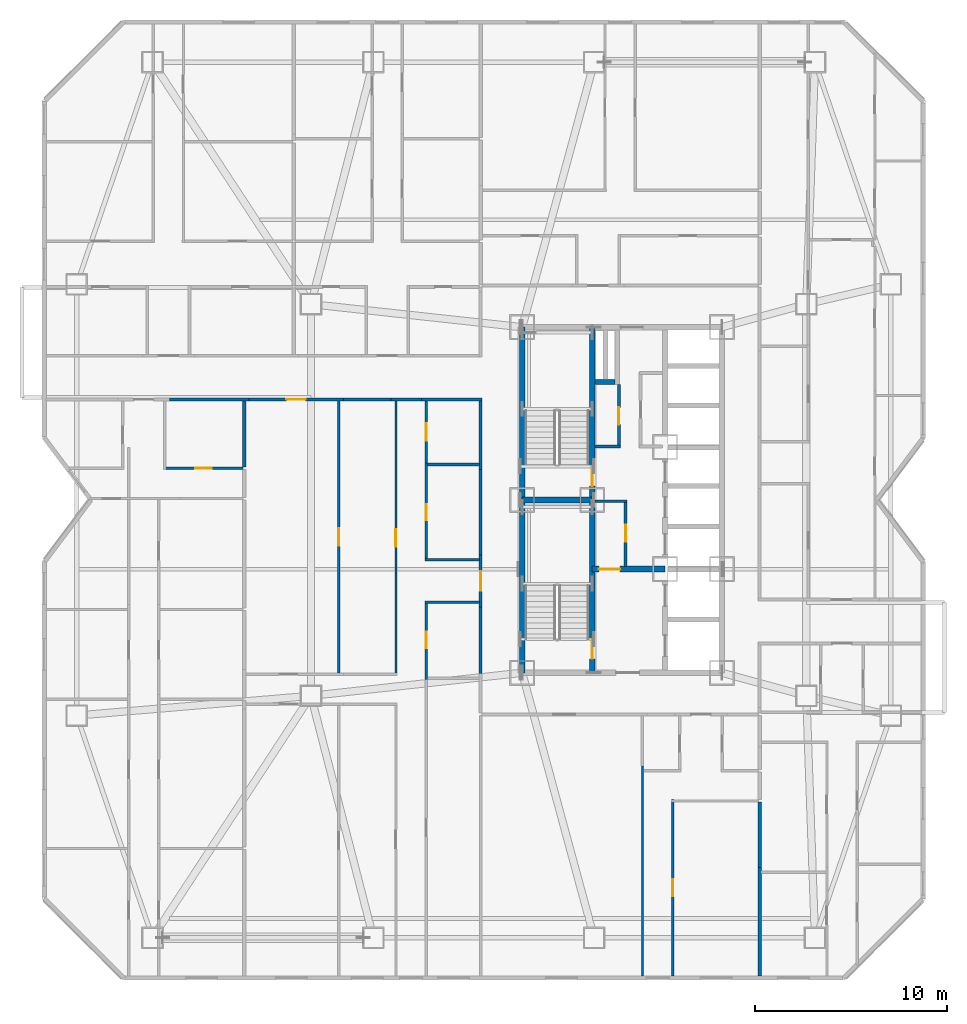
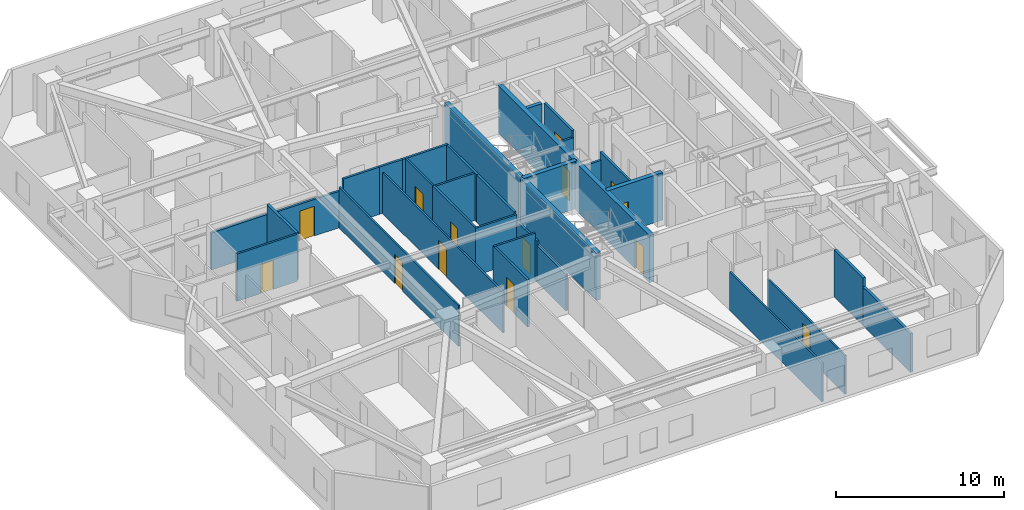
# One storey, part 9 of 17: 34 walls, 14 doors, 14 openings.
"""IFC4 building model written with IfcOpenShell, lengths in metres."""

from ifc_helpers import new_model, si_unit, direction, frame, frame_2d, origin, place, context, subcontext, project, spatial, rectangle, extrude, material, layer, layer_set, type_object, element, fill, save


model = new_model("IFC4")

# Units and contexts
model_context = context("Model", 3, precision=1e-05, world=origin(), true_north=direction((0.0, 1.0)))
body_context = subcontext(model_context, "Body", "Model", "MODEL_VIEW")
ifc_project = project(units=[si_unit("LENGTHUNIT", "METRE"), si_unit("AREAUNIT", "SQUARE_METRE"), si_unit("VOLUMEUNIT", "CUBIC_METRE"), si_unit("PLANEANGLEUNIT", "RADIAN"), si_unit("MASSUNIT", "GRAM", prefix="KILO")], contexts=[model_context])

# Site, building, storey
site_placement = place(None, origin())
site = spatial("IfcSite", under=ifc_project, at=site_placement, CompositionType="ELEMENT")
building_placement = place(site_placement, origin())
building = spatial("IfcBuilding", under=site, at=building_placement, Name="Khamvora Tower", CompositionType="ELEMENT")
storey_placement = place(building_placement, frame((0.0, 0.0, 73.449951171875)))
storey = spatial("IfcBuildingStorey", under=building, at=storey_placement, Name="L18", CompositionType="ELEMENT", Elevation=73.449951171875)

# Walls
ifc_material_1 = material(Name="Concrete C50/60", Category="concrete")
ifc_layer_1 = layer(ifc_material_1, 0.300048828125)
ifc_layer_set_1 = layer_set([ifc_layer_1], Name="Concrete C50/60")
wall_type_1 = type_object("IfcWallType", Name="WAL-CORE-300", PredefinedType="SHEAR", material=ifc_layer_set_1)
for number, where, z_axis, x_axis, name in (
    (1, (29.0, 19.0, 0.0), (0.0, 0.0, 1.0), (0.0, 1.0, 0.0), "L18 central core west south wall"),
    (2, (29.0, 28.0, 0.0), (0.0, 0.0, 1.0), (0.0, 1.0, 0.0), "L18 central core west north wall"),
):
    element("IfcWall", number, at=place(storey_placement, frame(where, z_axis=z_axis, x_axis=x_axis)), inside=storey, type_object=wall_type_1, Name=name, PredefinedType="SHEAR", context=body_context, shape_type="SweptSolid", body=[
        extrude(rectangle(XDim=9.0, YDim=0.300048828125, at=frame_2d((4.5, 0.0))), origin(), (0.0, 0.0, 1.0), 3.429931640625),
    ])

# Wall, opening, door
wall_1_placement = place(storey_placement, frame((32.64990234375, 19.0, 0.0), z_axis=(0.0, 0.0, 1.0), x_axis=(0.0, 1.0, 0.0)))
wall_1 = element("IfcWall", 3, at=wall_1_placement, inside=storey, type_object=wall_type_1, Name="L18 central core stair south spine wall", PredefinedType="SHEAR", context=body_context, shape_type="SweptSolid", body=[
    extrude(rectangle(XDim=9.0, YDim=0.300048828125, at=frame_2d((4.5, 0.0))), origin(), (0.0, 0.0, 1.0), 3.429931640625),
])
opening_1_placement = place(wall_1_placement, frame((0.719970703125, 0.0, 0.0)))
opening_1 = element("IfcOpeningElement", 4, at=opening_1_placement, cuts=wall_1, Name="Opening D-ST1", PredefinedType="OPENING", context=body_context, shape_type="SweptSolid", body=[
    extrude(rectangle(XDim=1.0, YDim=2.14990234375, at=frame_2d((0.5, 1.074951171875))), frame((0.0, 0.159912109375, 0.0), z_axis=(0.0, -1.0, 0.0), x_axis=(1.0, 0.0, 0.0)), (0.0, 0.0, 1.0), 0.320068359375),
])
ifc_material_2 = material(Name="Powder-Coated Steel and Hardwood Leaf", Category="steel")
door_type_1 = type_object("IfcDoorType", Name="DOR-STAIR-1000", OperationType="NOTDEFINED", PredefinedType="DOOR", material=ifc_material_2)
door_1_placement = place(opening_1_placement, origin())
door_1 = element("IfcDoor", 5, at=door_1_placement, inside=storey, type_object=door_type_1, Name="L18 exit stair ST-01 fire door", OperationType="SINGLE_SWING_RIGHT", OverallHeight=2.14990234375, OverallWidth=1.0, PredefinedType="DOOR", context=body_context, shape_type="SweptSolid", body=[
    extrude(rectangle(XDim=1.0, YDim=2.14990234375, at=frame_2d((0.5, 1.074951171875))), frame((0.0, 0.02490234375, 0.0), z_axis=(0.0, -1.0, 0.0), x_axis=(1.0, 0.0, 0.0)), (0.0, 0.0, 1.0), 0.050048828125),
])
fill(opening_1, door_1)

wall_2_placement = place(storey_placement, frame((32.64990234375, 28.0, 0.0), z_axis=(0.0, 0.0, 1.0), x_axis=(0.0, 1.0, 0.0)))
wall_2 = element("IfcWall", 6, at=wall_2_placement, inside=storey, type_object=wall_type_1, Name="L18 central core stair north spine wall", PredefinedType="SHEAR", context=body_context, shape_type="SweptSolid", body=[
    extrude(rectangle(XDim=9.0, YDim=0.300048828125, at=frame_2d((4.5, 0.0))), origin(), (0.0, 0.0, 1.0), 3.429931640625),
])
opening_2_placement = place(wall_2_placement, frame((0.719970703125, 0.0, 0.0)))
opening_2 = element("IfcOpeningElement", 7, at=opening_2_placement, cuts=wall_2, Name="Opening D-ST1", PredefinedType="OPENING", context=body_context, shape_type="SweptSolid", body=[
    extrude(rectangle(XDim=1.0, YDim=2.14990234375, at=frame_2d((0.5, 1.074951171875))), frame((0.0, 0.159912109375, 0.0), z_axis=(0.0, -1.0, 0.0), x_axis=(1.0, 0.0, 0.0)), (0.0, 0.0, 1.0), 0.320068359375),
])
door_2_placement = place(opening_2_placement, origin())
door_2 = element("IfcDoor", 8, at=door_2_placement, inside=storey, type_object=door_type_1, Name="L18 exit stair ST-02 fire door", OperationType="SINGLE_SWING_RIGHT", OverallHeight=2.14990234375, OverallWidth=1.0, PredefinedType="DOOR", context=body_context, shape_type="SweptSolid", body=[
    extrude(rectangle(XDim=1.0, YDim=2.14990234375, at=frame_2d((0.5, 1.074951171875))), frame((0.0, 0.02490234375, 0.0), z_axis=(0.0, -1.0, 0.0), x_axis=(1.0, 0.0, 0.0)), (0.0, 0.0, 1.0), 0.050048828125),
])
fill(opening_2, door_2)

# Wall
wall_3_placement = place(storey_placement, frame((29.0, 28.0, 0.0), z_axis=(0.0, 0.0, 1.0), x_axis=(1.0, 0.0, 0.0)))
element("IfcWall", 9, at=wall_3_placement, inside=storey, type_object=wall_type_1, Name="L18 central core stair cross wall", PredefinedType="SHEAR", context=body_context, shape_type="SweptSolid", body=[
    extrude(rectangle(XDim=3.64990234375, YDim=0.300048828125, at=frame_2d((1.824951171875, 0.0))), origin(), (0.0, 0.0, 1.0), 3.429931640625),
])

# Wall, opening, door
wall_4_placement = place(storey_placement, frame((32.64990234375, 24.39990234375, 0.0), z_axis=(0.0, 0.0, 1.0), x_axis=(1.0, 0.0, 0.0)))
wall_4 = element("IfcWall", 10, at=wall_4_placement, inside=storey, type_object=wall_type_1, Name="L18 central core firefighting lobby north wall", PredefinedType="SHEAR", context=body_context, shape_type="SweptSolid", body=[
    extrude(rectangle(XDim=3.800048828125, YDim=0.300048828125, at=frame_2d((1.89990234375, 0.0))), origin(), (0.0, 0.0, 1.0), 3.429931640625),
])
opening_3_placement = place(wall_4_placement, frame((0.35009765625, 0.0, 0.0)))
opening_3 = element("IfcOpeningElement", 11, at=opening_3_placement, cuts=wall_4, Name="Opening D-FF1", PredefinedType="OPENING", context=body_context, shape_type="SweptSolid", body=[
    extrude(rectangle(XDim=1.10009765625, YDim=2.14990234375, at=frame_2d((0.550048828125, 1.074951171875))), frame((0.0, 0.159912109375, 0.0), z_axis=(0.0, -1.0, 0.0), x_axis=(1.0, 0.0, 0.0)), (0.0, 0.0, 1.0), 0.320068359375),
])
door_type_2 = type_object("IfcDoorType", Name="DOR-FFLOB-1100", OperationType="NOTDEFINED", PredefinedType="DOOR", material=ifc_material_2)
door_3_placement = place(opening_3_placement, origin())
door_3 = element("IfcDoor", 12, at=door_3_placement, inside=storey, type_object=door_type_2, Name="L18 firefighting lobby smoke-seal fire door", OperationType="SINGLE_SWING_LEFT", OverallHeight=2.14990234375, OverallWidth=1.10009765625, PredefinedType="DOOR", context=body_context, shape_type="SweptSolid", body=[
    extrude(rectangle(XDim=1.10009765625, YDim=2.14990234375, at=frame_2d((0.550048828125, 1.074951171875))), frame((0.0, 0.02490234375, 0.0), z_axis=(0.0, -1.0, 0.0), x_axis=(1.0, 0.0, 0.0)), (0.0, 0.0, 1.0), 0.050048828125),
])
fill(opening_3, door_3)

# Wall
ifc_material_3 = material(Name="Fire-Rated Drywall and Steel Stud", Category="steel")
ifc_layer_2 = layer(ifc_material_3, 0.14990234375)
ifc_layer_set_2 = layer_set([ifc_layer_2], Name="Fire-Rated Drywall and Steel Stud")
wall_type_2 = type_object("IfcWallType", Name="WAL-CORR-150", PredefinedType="STANDARD", material=ifc_layer_set_2)
wall_5_placement = place(storey_placement, frame((32.7939453125, 30.784912109375, 0.0), z_axis=(0.0, 0.0, 1.0), x_axis=(1.0, 0.0, 0.0)))
element("IfcWall", 13, at=wall_5_placement, inside=storey, type_object=wall_type_2, Name="L18 interior partition wall 004", PredefinedType="STANDARD", context=body_context, shape_type="SweptSolid", body=[
    extrude(rectangle(XDim=1.30615234375, YDim=0.14990234375, at=frame_2d((0.653076171875, 0.0))), origin(), (0.0, 0.0, 1.0), 2.886962890625),
])

# Wall, opening, door
wall_6_placement = place(storey_placement, frame((34.034912109375, 30.719970703125, 0.0), z_axis=(0.0, 0.0, 1.0), x_axis=(0.0, 1.0, 0.0)))
wall_6 = element("IfcWall", 14, at=wall_6_placement, inside=storey, type_object=wall_type_2, Name="L18 interior partition wall 005", PredefinedType="STANDARD", context=body_context, shape_type="SweptSolid", body=[
    extrude(rectangle(XDim=3.300048828125, YDim=0.14990234375, at=frame_2d((1.64990234375, 0.0))), origin(), (0.0, 0.0, 1.0), 3.429931640625),
])
opening_4_placement = place(wall_6_placement, frame((1.199951171875, 0.0, 0.0)))
opening_4 = element("IfcOpeningElement", 15, at=opening_4_placement, cuts=wall_6, Name="Opening D-RM1", PredefinedType="OPENING", context=body_context, shape_type="SweptSolid", body=[
    extrude(rectangle(XDim=0.89990234375, YDim=2.10009765625, at=frame_2d((0.449951171875, 1.050048828125))), frame((0.0, 0.0849609375, 0.0), z_axis=(0.0, -1.0, 0.0), x_axis=(1.0, 0.0, 0.0)), (0.0, 0.0, 1.0), 0.169921875),
])
door_type_3 = type_object("IfcDoorType", Name="DOR-ROOM-900", OperationType="NOTDEFINED", PredefinedType="DOOR", material=ifc_material_2)
door_4_placement = place(opening_4_placement, origin())
door_4 = element("IfcDoor", 16, at=door_4_placement, inside=storey, type_object=door_type_3, Name="L18 interior door PLL-CS2", OperationType="SINGLE_SWING_LEFT", OverallHeight=2.10009765625, OverallWidth=0.89990234375, PredefinedType="DOOR", context=body_context, shape_type="SweptSolid", body=[
    extrude(rectangle(XDim=0.89990234375, YDim=2.10009765625, at=frame_2d((0.449951171875, 1.050048828125))), frame((0.0, 0.02490234375, 0.0), z_axis=(0.0, -1.0, 0.0), x_axis=(1.0, 0.0, 0.0)), (0.0, 0.0, 1.0), 0.050048828125),
])
fill(opening_4, door_4)

wall_7_placement = place(storey_placement, frame((34.385009765625, 24.5439453125, 0.0), z_axis=(0.0, 0.0, 1.0), x_axis=(0.0, 1.0, 0.0)))
wall_7 = element("IfcWall", 17, at=wall_7_placement, inside=storey, type_object=wall_type_2, Name="L18 interior partition wall 006", PredefinedType="STANDARD", context=body_context, shape_type="SweptSolid", body=[
    extrude(rectangle(XDim=3.4560546875, YDim=0.14990234375, at=frame_2d((1.72802734375, 0.0))), origin(), (0.0, 0.0, 1.0), 3.429931640625),
])
opening_5_placement = place(wall_7_placement, frame((1.278076171875, 0.0, 0.0)))
opening_5 = element("IfcOpeningElement", 18, at=opening_5_placement, cuts=wall_7, Name="Opening D-RM1", PredefinedType="OPENING", context=body_context, shape_type="SweptSolid", body=[
    extrude(rectangle(XDim=0.89990234375, YDim=2.10009765625, at=frame_2d((0.449951171875, 1.050048828125))), frame((0.0, 0.0849609375, 0.0), z_axis=(0.0, -1.0, 0.0), x_axis=(1.0, 0.0, 0.0)), (0.0, 0.0, 1.0), 0.169921875),
])
door_5_placement = place(opening_5_placement, origin())
door_5 = element("IfcDoor", 19, at=door_5_placement, inside=storey, type_object=door_type_3, Name="L18 interior door PLL-CS3", OperationType="SINGLE_SWING_RIGHT", OverallHeight=2.10009765625, OverallWidth=0.89990234375, PredefinedType="DOOR", context=body_context, shape_type="SweptSolid", body=[
    extrude(rectangle(XDim=0.89990234375, YDim=2.10009765625, at=frame_2d((0.449951171875, 1.050048828125))), frame((0.0, 0.02490234375, 0.0), z_axis=(0.0, -1.0, 0.0), x_axis=(1.0, 0.0, 0.0)), (0.0, 0.0, 1.0), 0.050048828125),
])
fill(opening_5, door_5)

# Walls
wall_8_placement = place(storey_placement, frame((34.449951171875, 27.93505859375, 0.0), z_axis=(0.0, 0.0, 1.0), x_axis=(-1.0, 0.0, 0.0)))
element("IfcWall", 20, at=wall_8_placement, inside=storey, type_object=wall_type_2, Name="L18 interior partition wall 007", PredefinedType="STANDARD", context=body_context, shape_type="SweptSolid", body=[
    extrude(rectangle(XDim=1.656005859375, YDim=0.14990234375, at=frame_2d((0.828125, 0.0))), origin(), (0.0, 0.0, 1.0), 2.886962890625),
])
wall_9_placement = place(storey_placement, frame((14.782958984375, 33.235107421875, 0.0), z_axis=(0.0, 0.0, 1.0), x_axis=(-1.0, 0.0, 0.0)))
element("IfcWall", 21, at=wall_9_placement, inside=storey, type_object=wall_type_2, Name="L18 interior partition wall 011", PredefinedType="STANDARD", context=body_context, shape_type="SweptSolid", body=[
    extrude(rectangle(XDim=4.14501953125, YDim=0.14990234375, at=frame_2d((2.072509765625, 0.0))), origin(), (0.0, 0.0, 1.0), 2.68701171875),
])
wall_10_placement = place(storey_placement, frame((26.8349609375, 29.60009765625, 0.0), z_axis=(0.0, 0.0, 1.0), x_axis=(0.0, 1.0, 0.0)))
element("IfcWall", 22, at=wall_10_placement, inside=storey, type_object=wall_type_2, Name="L18 interior partition wall 013", PredefinedType="STANDARD", context=body_context, shape_type="SweptSolid", body=[
    extrude(rectangle(XDim=3.699951171875, YDim=0.14990234375, at=frame_2d((1.85009765625, 0.0))), origin(), (0.0, 0.0, 1.0), 3.429931640625),
])
wall_11_placement = place(storey_placement, frame((26.89794921875, 33.235107421875, 0.0), z_axis=(0.0, 0.0, 1.0), x_axis=(-1.0, 0.0, 0.0)))
element("IfcWall", 23, at=wall_11_placement, inside=storey, type_object=wall_type_2, Name="L18 interior partition wall 014", PredefinedType="STANDARD", context=body_context, shape_type="SweptSolid", body=[
    extrude(rectangle(XDim=3.14306640625, YDim=0.14990234375, at=frame_2d((1.571533203125, 0.0))), origin(), (0.0, 0.0, 1.0), 3.429931640625),
])

# Wall, opening, door
wall_12_placement = place(storey_placement, frame((26.8349609375, 22.43505859375, 0.0), z_axis=(0.0, 0.0, 1.0), x_axis=(0.0, 1.0, 0.0)))
wall_12 = element("IfcWall", 24, at=wall_12_placement, inside=storey, type_object=wall_type_2, Name="L18 interior partition wall 015", PredefinedType="STANDARD", context=body_context, shape_type="SweptSolid", body=[
    extrude(rectangle(XDim=2.697998046875, YDim=0.14990234375, at=frame_2d((1.34912109375, 0.0))), origin(), (0.0, 0.0, 1.0), 2.95703125),
])
opening_6_placement = place(wall_12_placement, frame((0.84912109375, 0.0, 0.0)))
opening_6 = element("IfcOpeningElement", 25, at=opening_6_placement, cuts=wall_12, Name="Opening D-U1", PredefinedType="OPENING", context=body_context, shape_type="SweptSolid", body=[
    extrude(rectangle(XDim=1.0, YDim=2.14990234375, at=frame_2d((0.5, 1.074951171875))), frame((0.0, 0.0849609375, 0.0), z_axis=(0.0, -1.0, 0.0), x_axis=(1.0, 0.0, 0.0)), (0.0, 0.0, 1.0), 0.169921875),
])
door_type_4 = type_object("IfcDoorType", Name="DOR-UNIT-1000", OperationType="NOTDEFINED", PredefinedType="DOOR", material=ifc_material_2)
door_6_placement = place(opening_6_placement, origin())
door_6 = element("IfcDoor", 26, at=door_6_placement, inside=storey, type_object=door_type_4, Name="L18 interior door COR-18WA2H", OperationType="SINGLE_SWING_LEFT", OverallHeight=2.14990234375, OverallWidth=1.0, PredefinedType="DOOR", context=body_context, shape_type="SweptSolid", body=[
    extrude(rectangle(XDim=1.0, YDim=2.14990234375, at=frame_2d((0.5, 1.074951171875))), frame((0.0, 0.02490234375, 0.0), z_axis=(0.0, -1.0, 0.0), x_axis=(1.0, 0.0, 0.0)), (0.0, 0.0, 1.0), 0.050048828125),
])
fill(opening_6, door_6)

# Walls
wall_13_placement = place(storey_placement, frame((23.7548828125, 33.235107421875, 0.0), z_axis=(0.0, 0.0, 1.0), x_axis=(-1.0, 0.0, 0.0)))
element("IfcWall", 27, at=wall_13_placement, inside=storey, type_object=wall_type_2, Name="L18 interior partition wall 016", PredefinedType="STANDARD", context=body_context, shape_type="SweptSolid", body=[
    extrude(rectangle(XDim=1.579833984375, YDim=0.14990234375, at=frame_2d((0.7900390625, 0.0))), origin(), (0.0, 0.0, 1.0), 3.429931640625),
])
wall_14_placement = place(storey_placement, frame((26.8349609375, 18.968017578125, 0.0), z_axis=(0.0, 0.0, 1.0), x_axis=(0.0, 1.0, 0.0)))
element("IfcWall", 28, at=wall_14_placement, inside=storey, type_object=wall_type_2, Name="L18 interior partition wall 017", PredefinedType="STANDARD", context=body_context, shape_type="SweptSolid", body=[
    extrude(rectangle(XDim=3.467041015625, YDim=0.14990234375, at=frame_2d((1.7333984375, 0.0))), origin(), (0.0, 0.0, 1.0), 2.64697265625),
])
wall_15_placement = place(storey_placement, frame((26.8349609375, 25.133056640625, 0.0), z_axis=(0.0, 0.0, 1.0), x_axis=(0.0, 1.0, 0.0)))
element("IfcWall", 29, at=wall_15_placement, inside=storey, type_object=wall_type_2, Name="L18 interior partition wall 018", PredefinedType="STANDARD", context=body_context, shape_type="SweptSolid", body=[
    extrude(rectangle(XDim=4.467041015625, YDim=0.14990234375, at=frame_2d((2.2333984375, 0.0))), origin(), (0.0, 0.0, 1.0), 3.429931640625),
])

# Wall, opening, door
wall_16_placement = place(storey_placement, frame((19.69091796875, 33.235107421875, 0.0), z_axis=(0.0, 0.0, 1.0), x_axis=(-1.0, 0.0, 0.0)))
wall_16 = element("IfcWall", 30, at=wall_16_placement, inside=storey, type_object=wall_type_2, Name="L18 interior partition wall 019", PredefinedType="STANDARD", context=body_context, shape_type="SweptSolid", body=[
    extrude(rectangle(XDim=4.907958984375, YDim=0.14990234375, at=frame_2d((2.4541015625, 0.0))), origin(), (0.0, 0.0, 1.0), 2.64697265625),
])
opening_7_placement = place(wall_16_placement, frame((1.97509765625, 0.0, 0.0)))
opening_7 = element("IfcOpeningElement", 31, at=opening_7_placement, cuts=wall_16, Name="Opening D-U1", PredefinedType="OPENING", context=body_context, shape_type="SweptSolid", body=[
    extrude(rectangle(XDim=1.0, YDim=2.14990234375, at=frame_2d((0.5, 1.074951171875))), frame((0.0, 0.0849609375, 0.0), z_axis=(0.0, -1.0, 0.0), x_axis=(1.0, 0.0, 0.0)), (0.0, 0.0, 1.0), 0.169921875),
])
door_7_placement = place(opening_7_placement, origin())
door_7 = element("IfcDoor", 32, at=door_7_placement, inside=storey, type_object=door_type_4, Name="L18 interior door COR-18WA2R3", OperationType="SINGLE_SWING_RIGHT", OverallHeight=2.14990234375, OverallWidth=1.0, PredefinedType="DOOR", context=body_context, shape_type="SweptSolid", body=[
    extrude(rectangle(XDim=1.0, YDim=2.14990234375, at=frame_2d((0.5, 1.074951171875))), frame((0.0, 0.02490234375, 0.0), z_axis=(0.0, -1.0, 0.0), x_axis=(1.0, 0.0, 0.0)), (0.0, 0.0, 1.0), 0.050048828125),
])
fill(opening_7, door_7)

# Walls
wall_17_placement = place(storey_placement, frame((22.175048828125, 33.235107421875, 0.0), z_axis=(0.0, 0.0, 1.0), x_axis=(-1.0, 0.0, 0.0)))
element("IfcWall", 33, at=wall_17_placement, inside=storey, type_object=wall_type_2, Name="L18 interior partition wall 020", PredefinedType="STANDARD", context=body_context, shape_type="SweptSolid", body=[
    extrude(rectangle(XDim=2.484130859375, YDim=0.14990234375, at=frame_2d((1.2421875, 0.0))), origin(), (0.0, 0.0, 1.0), 3.429931640625),
])
ifc_material_4 = material(Name="Acoustic Double-Stud Fire Wall", Category="gypsum")
ifc_layer_3 = layer(ifc_material_4, 0.179931640625)
ifc_layer_set_3 = layer_set([ifc_layer_3], Name="Acoustic Double-Stud Fire Wall")
wall_type_3 = type_object("IfcWallType", Name="WAL-CORR-180", PredefinedType="STANDARD", material=ifc_layer_set_3)
wall_18_placement = place(storey_placement, frame((14.533935546875, 33.16796875, 0.0), z_axis=(0.0, 0.0, 1.0), x_axis=(0.0, -1.0, 0.0)))
element("IfcWall", 34, at=wall_18_placement, inside=storey, type_object=wall_type_3, Name="L18 interior partition wall 065", PredefinedType="STANDARD", context=body_context, shape_type="SweptSolid", body=[
    extrude(rectangle(XDim=3.447998046875, YDim=0.179931640625, at=frame_2d((1.72412109375, 0.0))), origin(), (0.0, 0.0, 1.0), 3.429931640625),
])
wall_19_placement = place(storey_placement, frame((41.364990234375, 8.85498046875, 0.0), z_axis=(0.0, 0.0, 1.0), x_axis=(0.0, -1.0, 0.0)))
element("IfcWall", 35, at=wall_19_placement, inside=storey, type_object=wall_type_3, Name="L18 interior partition wall 136", PredefinedType="STANDARD", context=body_context, shape_type="SweptSolid", body=[
    extrude(rectangle(XDim=5.64306640625, YDim=0.179931640625, at=frame_2d((2.821533203125, 0.0))), origin(), (0.0, 0.0, 1.0), 2.802978515625),
])
wall_20_placement = place(storey_placement, frame((41.364990234375, 12.260986328125, 0.0), z_axis=(0.0, 0.0, 1.0), x_axis=(0.0, -1.0, 0.0)))
element("IfcWall", 36, at=wall_20_placement, inside=storey, type_object=wall_type_3, Name="L18 interior partition wall 137", PredefinedType="STANDARD", context=body_context, shape_type="SweptSolid", body=[
    extrude(rectangle(XDim=3.406005859375, YDim=0.179931640625, at=frame_2d((1.703125, 0.0))), origin(), (0.0, 0.0, 1.0), 3.429931640625),
])
ifc_material_5 = material(Name="Gypsum Plasterboard Partition", Category="gypsum")
ifc_layer_4 = layer(ifc_material_5, 0.1201171875)
ifc_layer_set_4 = layer_set([ifc_layer_4], Name="Gypsum Plasterboard Partition")
wall_type_4 = type_object("IfcWallType", Name="WAL-PART-120", PredefinedType="PARTITIONING", material=ifc_layer_set_4)
wall_21_placement = place(storey_placement, frame((35.264892578125, 14.155029296875, 0.0), z_axis=(0.0, 0.0, 1.0), x_axis=(0.0, -1.0, 0.0)))
element("IfcWall", 37, at=wall_21_placement, inside=storey, type_object=wall_type_4, Name="L18 interior partition wall 048", PredefinedType="PARTITIONING", context=body_context, shape_type="SweptSolid", body=[
    extrude(rectangle(XDim=10.943115234375, YDim=0.1201171875, at=frame_2d((5.4716796875, 0.0))), origin(), (0.0, 0.0, 1.0), 2.802978515625),
])

# Wall, opening, door
wall_22_placement = place(storey_placement, frame((24.00390625, 29.9140625, 0.0), z_axis=(0.0, 0.0, 1.0), x_axis=(0.0, 1.0, 0.0)))
wall_22 = element("IfcWall", 38, at=wall_22_placement, inside=storey, type_object=wall_type_4, Name="L18 interior partition wall 080", PredefinedType="PARTITIONING", context=body_context, shape_type="SweptSolid", body=[
    extrude(rectangle(XDim=3.25390625, YDim=0.1201171875, at=frame_2d((1.626953125, 0.0))), origin(), (0.0, 0.0, 1.0), 3.429931640625),
])
opening_8_placement = place(wall_22_placement, frame((1.177001953125, 0.0, 0.0)))
opening_8 = element("IfcOpeningElement", 39, at=opening_8_placement, cuts=wall_22, Name="Opening D-RM1", PredefinedType="OPENING", context=body_context, shape_type="SweptSolid", body=[
    extrude(rectangle(XDim=0.89990234375, YDim=2.10009765625, at=frame_2d((0.449951171875, 1.050048828125))), frame((0.0, 0.070068359375, 0.0), z_axis=(0.0, -1.0, 0.0), x_axis=(1.0, 0.0, 0.0)), (0.0, 0.0, 1.0), 0.14013671875),
])
door_8_placement = place(opening_8_placement, origin())
door_8 = element("IfcDoor", 40, at=door_8_placement, inside=storey, type_object=door_type_3, Name="L18 interior door 18WA2W2-18WA2H", OperationType="SINGLE_SWING_RIGHT", OverallHeight=2.10009765625, OverallWidth=0.89990234375, PredefinedType="DOOR", context=body_context, shape_type="SweptSolid", body=[
    extrude(rectangle(XDim=0.89990234375, YDim=2.10009765625, at=frame_2d((0.449951171875, 1.050048828125))), frame((0.0, 0.02490234375, 0.0), z_axis=(0.0, -1.0, 0.0), x_axis=(1.0, 0.0, 0.0)), (0.0, 0.0, 1.0), 0.050048828125),
])
fill(opening_8, door_8)

wall_23_placement = place(storey_placement, frame((22.424072265625, 18.860107421875, 0.0), z_axis=(0.0, 0.0, 1.0), x_axis=(0.0, 1.0, 0.0)))
wall_23 = element("IfcWall", 41, at=wall_23_placement, inside=storey, type_object=wall_type_4, Name="L18 interior partition wall 091", PredefinedType="PARTITIONING", context=body_context, shape_type="SweptSolid", body=[
    extrude(rectangle(XDim=14.307861328125, YDim=0.1201171875, at=frame_2d((7.15380859375, 0.0))), origin(), (0.0, 0.0, 1.0), 2.95703125),
])
opening_9_placement = place(wall_23_placement, frame((6.7041015625, 0.0, 0.0)))
opening_9 = element("IfcOpeningElement", 42, at=opening_9_placement, cuts=wall_23, Name="Opening D-RM1", PredefinedType="OPENING", context=body_context, shape_type="SweptSolid", body=[
    extrude(rectangle(XDim=0.89990234375, YDim=2.10009765625, at=frame_2d((0.449951171875, 1.050048828125))), frame((0.0, 0.070068359375, 0.0), z_axis=(0.0, -1.0, 0.0), x_axis=(1.0, 0.0, 0.0)), (0.0, 0.0, 1.0), 0.14013671875),
])
door_9_placement = place(opening_9_placement, origin())
door_9 = element("IfcDoor", 43, at=door_9_placement, inside=storey, type_object=door_type_3, Name="L18 interior door 18WA2H-18WA2R4", OperationType="SINGLE_SWING_LEFT", OverallHeight=2.10009765625, OverallWidth=0.89990234375, PredefinedType="DOOR", context=body_context, shape_type="SweptSolid", body=[
    extrude(rectangle(XDim=0.89990234375, YDim=2.10009765625, at=frame_2d((0.449951171875, 1.050048828125))), frame((0.0, 0.02490234375, 0.0), z_axis=(0.0, -1.0, 0.0), x_axis=(1.0, 0.0, 0.0)), (0.0, 0.0, 1.0), 0.050048828125),
])
fill(opening_9, door_9)

wall_24_placement = place(storey_placement, frame((19.44189453125, 33.16796875, 0.0), z_axis=(0.0, 0.0, 1.0), x_axis=(0.0, -1.0, 0.0)))
wall_24 = element("IfcWall", 44, at=wall_24_placement, inside=storey, type_object=wall_type_4, Name="L18 interior partition wall 093", PredefinedType="PARTITIONING", context=body_context, shape_type="SweptSolid", body=[
    extrude(rectangle(XDim=14.18896484375, YDim=0.1201171875, at=frame_2d((7.094482421875, 0.0))), origin(), (0.0, 0.0, 1.0), 2.95703125),
])
opening_10_placement = place(wall_24_placement, frame((6.64404296875, 0.0, 0.0)))
opening_10 = element("IfcOpeningElement", 45, at=opening_10_placement, cuts=wall_24, Name="Opening D-RM1", PredefinedType="OPENING", context=body_context, shape_type="SweptSolid", body=[
    extrude(rectangle(XDim=0.89990234375, YDim=2.10009765625, at=frame_2d((0.449951171875, 1.050048828125))), frame((0.0, 0.070068359375, 0.0), z_axis=(0.0, -1.0, 0.0), x_axis=(1.0, 0.0, 0.0)), (0.0, 0.0, 1.0), 0.14013671875),
])
door_10_placement = place(opening_10_placement, origin())
door_10 = element("IfcDoor", 46, at=door_10_placement, inside=storey, type_object=door_type_3, Name="L18 interior door 18WA2R3-18WA2R4", OperationType="SINGLE_SWING_LEFT", OverallHeight=2.10009765625, OverallWidth=0.89990234375, PredefinedType="DOOR", context=body_context, shape_type="SweptSolid", body=[
    extrude(rectangle(XDim=0.89990234375, YDim=2.10009765625, at=frame_2d((0.449951171875, 1.050048828125))), frame((0.0, 0.02490234375, 0.0), z_axis=(0.0, -1.0, 0.0), x_axis=(1.0, 0.0, 0.0)), (0.0, 0.0, 1.0), 0.050048828125),
])
fill(opening_10, door_10)

wall_25_placement = place(storey_placement, frame((36.844970703125, 12.39111328125, 0.0), z_axis=(0.0, 0.0, 1.0), x_axis=(0.0, -1.0, 0.0)))
wall_25 = element("IfcWall", 47, at=wall_25_placement, inside=storey, type_object=wall_type_4, Name="L18 interior partition wall 132", PredefinedType="PARTITIONING", context=body_context, shape_type="SweptSolid", body=[
    extrude(rectangle(XDim=9.17919921875, YDim=0.1201171875, at=frame_2d((4.589599609375, 0.0))), origin(), (0.0, 0.0, 1.0), 2.802978515625),
])
opening_11_placement = place(wall_25_placement, frame((4.138916015625, 0.0, 0.0)))
opening_11 = element("IfcOpeningElement", 48, at=opening_11_placement, cuts=wall_25, Name="Opening D-RM1", PredefinedType="OPENING", context=body_context, shape_type="SweptSolid", body=[
    extrude(rectangle(XDim=0.89990234375, YDim=2.10009765625, at=frame_2d((0.449951171875, 1.050048828125))), frame((0.0, 0.070068359375, 0.0), z_axis=(0.0, -1.0, 0.0), x_axis=(1.0, 0.0, 0.0)), (0.0, 0.0, 1.0), 0.14013671875),
])
door_11_placement = place(opening_11_placement, origin())
door_11 = element("IfcDoor", 49, at=door_11_placement, inside=storey, type_object=door_type_3, Name="L18 interior door 18SAH-18SAR1", OperationType="SINGLE_SWING_LEFT", OverallHeight=2.10009765625, OverallWidth=0.89990234375, PredefinedType="DOOR", context=body_context, shape_type="SweptSolid", body=[
    extrude(rectangle(XDim=0.89990234375, YDim=2.10009765625, at=frame_2d((0.449951171875, 1.050048828125))), frame((0.0, 0.02490234375, 0.0), z_axis=(0.0, -1.0, 0.0), x_axis=(1.0, 0.0, 0.0)), (0.0, 0.0, 1.0), 0.050048828125),
])
fill(opening_11, door_11)

# Wall
ifc_material_6 = material(Name="Concrete C40/50", Category="concrete")
ifc_layer_5 = layer(ifc_material_6, 0.25)
ifc_layer_set_5 = layer_set([ifc_layer_5], Name="Concrete C40/50")
wall_type_5 = type_object("IfcWallType", Name="WAL-PODS-250", PredefinedType="SHEAR", material=ifc_layer_set_5)
wall_26_placement = place(storey_placement, frame((32.803955078125, 34.14990234375, 0.0), z_axis=(0.0, 0.0, 1.0), x_axis=(1.0, 0.0, 0.0)))
element("IfcWall", 50, at=wall_26_placement, inside=storey, type_object=wall_type_5, Name="L18 vertical MEP riser shaft south enclosure wall", PredefinedType="SHEAR", context=body_context, shape_type="SweptSolid", body=[
    extrude(rectangle(XDim=1.02197265625, YDim=0.25, at=frame_2d((0.510986328125, 0.0))), origin(), (0.0, 0.0, 1.0), 3.429931640625),
])

# Wall, opening, door
ifc_material_7 = material(Name="Moisture-Resistant Plasterboard Partition", Category="gypsum")
ifc_layer_6 = layer(ifc_material_7, 0.135009765625)
ifc_layer_set_6 = layer_set([ifc_layer_6], Name="Moisture-Resistant Plasterboard Partition")
wall_type_6 = type_object("IfcWallType", Name="WAL-WET-135", PredefinedType="PARTITIONING", material=ifc_layer_set_6)
wall_27_placement = place(storey_placement, frame((10.323974609375, 29.655029296875, 0.0), z_axis=(0.0, 0.0, 1.0), x_axis=(1.0, 0.0, 0.0)))
wall_27 = element("IfcWall", 51, at=wall_27_placement, inside=storey, type_object=wall_type_6, Name="L18 interior partition wall 053", PredefinedType="PARTITIONING", context=body_context, shape_type="SweptSolid", body=[
    extrude(rectangle(XDim=4.14501953125, YDim=0.135009765625, at=frame_2d((2.072509765625, 0.0))), origin(), (0.0, 0.0, 1.0), 3.429931640625),
])
opening_12_placement = place(wall_27_placement, frame((1.64697265625, 0.0, 0.0)))
opening_12 = element("IfcOpeningElement", 52, at=opening_12_placement, cuts=wall_27, Name="Opening D-RM2", PredefinedType="OPENING", context=body_context, shape_type="SweptSolid", body=[
    extrude(rectangle(XDim=0.85009765625, YDim=2.10009765625, at=frame_2d((0.425048828125, 1.050048828125))), frame((0.0, 0.077392578125, 0.0), z_axis=(0.0, -1.0, 0.0), x_axis=(1.0, 0.0, 0.0)), (0.0, 0.0, 1.0), 0.155029296875),
])
door_type_5 = type_object("IfcDoorType", Name="DOR-ROOM-850", OperationType="NOTDEFINED", PredefinedType="DOOR", material=ifc_material_2)
door_12_placement = place(opening_12_placement, origin())
door_12 = element("IfcDoor", 53, at=door_12_placement, inside=storey, type_object=door_type_5, Name="L18 interior door 18WA1H-18WA1K", OperationType="SINGLE_SWING_RIGHT", OverallHeight=2.10009765625, OverallWidth=0.85009765625, PredefinedType="DOOR", context=body_context, shape_type="SweptSolid", body=[
    extrude(rectangle(XDim=0.85009765625, YDim=2.10009765625, at=frame_2d((0.425048828125, 1.050048828125))), frame((0.0, 0.02490234375, 0.0), z_axis=(0.0, -1.0, 0.0), x_axis=(1.0, 0.0, 0.0)), (0.0, 0.0, 1.0), 0.050048828125),
])
fill(opening_12, door_12)

# Walls
wall_28_placement = place(storey_placement, frame((26.77001953125, 29.84912109375, 0.0), z_axis=(0.0, 0.0, 1.0), x_axis=(-1.0, 0.0, 0.0)))
element("IfcWall", 54, at=wall_28_placement, inside=storey, type_object=wall_type_6, Name="L18 interior partition wall 081", PredefinedType="PARTITIONING", context=body_context, shape_type="SweptSolid", body=[
    extrude(rectangle(XDim=2.700927734375, YDim=0.135009765625, at=frame_2d((1.3505859375, 0.0))), origin(), (0.0, 0.0, 1.0), 3.429931640625),
])
wall_29_placement = place(storey_placement, frame((26.77001953125, 22.68408203125, 0.0), z_axis=(0.0, 0.0, 1.0), x_axis=(-1.0, 0.0, 0.0)))
element("IfcWall", 55, at=wall_29_placement, inside=storey, type_object=wall_type_6, Name="L18 interior partition wall 082", PredefinedType="PARTITIONING", context=body_context, shape_type="SweptSolid", body=[
    extrude(rectangle(XDim=2.8310546875, YDim=0.135009765625, at=frame_2d((1.41552734375, 0.0))), origin(), (0.0, 0.0, 1.0), 3.429931640625),
])

# Wall, opening, door
wall_30_placement = place(storey_placement, frame((24.00390625, 22.7490234375, 0.0), z_axis=(0.0, 0.0, 1.0), x_axis=(0.0, -1.0, 0.0)))
wall_30 = element("IfcWall", 56, at=wall_30_placement, inside=storey, type_object=wall_type_6, Name="L18 interior partition wall 083", PredefinedType="PARTITIONING", context=body_context, shape_type="SweptSolid", body=[
    extrude(rectangle(XDim=4.094970703125, YDim=0.135009765625, at=frame_2d((2.04736328125, 0.0))), origin(), (0.0, 0.0, 1.0), 3.429931640625),
])
opening_13_placement = place(wall_30_placement, frame((1.6220703125, 0.0, 0.0)))
opening_13 = element("IfcOpeningElement", 57, at=opening_13_placement, cuts=wall_30, Name="Opening D-WC1", PredefinedType="OPENING", context=body_context, shape_type="SweptSolid", body=[
    extrude(rectangle(XDim=0.85009765625, YDim=2.10009765625, at=frame_2d((0.425048828125, 1.050048828125))), frame((0.0, 0.077392578125, 0.0), z_axis=(0.0, -1.0, 0.0), x_axis=(1.0, 0.0, 0.0)), (0.0, 0.0, 1.0), 0.155029296875),
])
door_type_6 = type_object("IfcDoorType", Name="DOR-WET-850", OperationType="NOTDEFINED", PredefinedType="DOOR", material=ifc_material_2)
door_13_placement = place(opening_13_placement, origin())
door_13 = element("IfcDoor", 58, at=door_13_placement, inside=storey, type_object=door_type_6, Name="L18 interior door 18WA2H-18WA2B", OperationType="SINGLE_SWING_LEFT", OverallHeight=2.10009765625, OverallWidth=0.85009765625, PredefinedType="DOOR", context=body_context, shape_type="SweptSolid", body=[
    extrude(rectangle(XDim=0.85009765625, YDim=2.10009765625, at=frame_2d((0.425048828125, 1.050048828125))), frame((0.0, 0.02490234375, 0.0), z_axis=(0.0, -1.0, 0.0), x_axis=(1.0, 0.0, 0.0)), (0.0, 0.0, 1.0), 0.050048828125),
])
fill(opening_13, door_13)

wall_31_placement = place(storey_placement, frame((24.00390625, 29.9140625, 0.0), z_axis=(0.0, 0.0, 1.0), x_axis=(0.0, -1.0, 0.0)))
wall_31 = element("IfcWall", 59, at=wall_31_placement, inside=storey, type_object=wall_type_6, Name="L18 interior partition wall 084", PredefinedType="PARTITIONING", context=body_context, shape_type="SweptSolid", body=[
    extrude(rectangle(XDim=5.094970703125, YDim=0.135009765625, at=frame_2d((2.54736328125, 0.0))), origin(), (0.0, 0.0, 1.0), 3.429931640625),
])
opening_14_placement = place(wall_31_placement, frame((2.123046875, 0.0, 0.0)))
opening_14 = element("IfcOpeningElement", 60, at=opening_14_placement, cuts=wall_31, Name="Opening D-RM2", PredefinedType="OPENING", context=body_context, shape_type="SweptSolid", body=[
    extrude(rectangle(XDim=0.85009765625, YDim=2.10009765625, at=frame_2d((0.425048828125, 1.050048828125))), frame((0.0, 0.077392578125, 0.0), z_axis=(0.0, -1.0, 0.0), x_axis=(1.0, 0.0, 0.0)), (0.0, 0.0, 1.0), 0.155029296875),
])
door_14_placement = place(opening_14_placement, origin())
door_14 = element("IfcDoor", 61, at=door_14_placement, inside=storey, type_object=door_type_5, Name="L18 interior door 18WA2H-18WA2K", OperationType="SINGLE_SWING_RIGHT", OverallHeight=2.10009765625, OverallWidth=0.85009765625, PredefinedType="DOOR", context=body_context, shape_type="SweptSolid", body=[
    extrude(rectangle(XDim=0.85009765625, YDim=2.10009765625, at=frame_2d((0.425048828125, 1.050048828125))), frame((0.0, 0.02490234375, 0.0), z_axis=(0.0, -1.0, 0.0), x_axis=(1.0, 0.0, 0.0)), (0.0, 0.0, 1.0), 0.050048828125),
])
fill(opening_14, door_14)

# Wall
wall_32_placement = place(storey_placement, frame((23.93896484375, 24.884033203125, 0.0), z_axis=(0.0, 0.0, 1.0), x_axis=(1.0, 0.0, 0.0)))
element("IfcWall", 62, at=wall_32_placement, inside=storey, type_object=wall_type_6, Name="L18 interior partition wall 085", PredefinedType="PARTITIONING", context=body_context, shape_type="SweptSolid", body=[
    extrude(rectangle(XDim=2.8310546875, YDim=0.135009765625, at=frame_2d((1.41552734375, 0.0))), origin(), (0.0, 0.0, 1.0), 3.429931640625),
])

save(model, "model.ifc")
